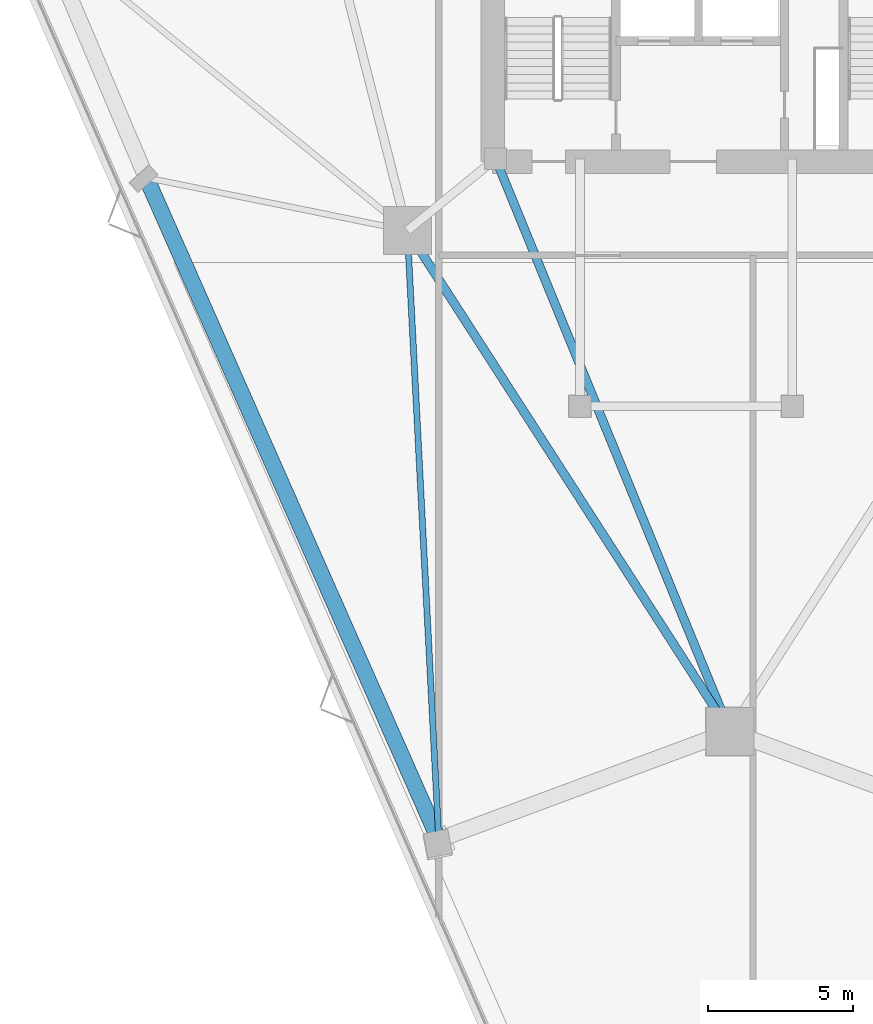
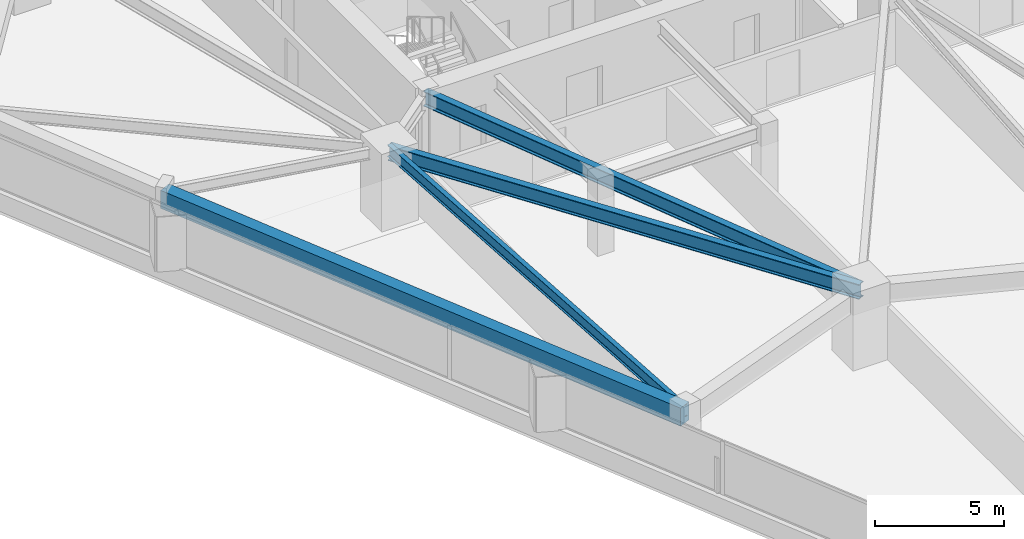
# One storey, part 3 of 18: 4 beams.
"""IFC4 building model written with IfcOpenShell, lengths in metres."""

from ifc_helpers import new_model, si_unit, direction, frame, origin, origin_2d, place, context, subcontext, project, spatial, rectangle, i_section, extrude, material, material_profile, profile_set, type_object, element, save


model = new_model("IFC4")

# Units and contexts
model_context = context("Model", 3, precision=1e-05, world=origin(), true_north=direction((0.0, 1.0)))
body_context = subcontext(model_context, "Body", "Model", "MODEL_VIEW")
ifc_project = project(units=[si_unit("LENGTHUNIT", "METRE"), si_unit("AREAUNIT", "SQUARE_METRE"), si_unit("VOLUMEUNIT", "CUBIC_METRE"), si_unit("PLANEANGLEUNIT", "RADIAN"), si_unit("MASSUNIT", "GRAM", prefix="KILO")], contexts=[model_context])

# Site, building, storey
site_placement = place(None, origin())
site = spatial("IfcSite", under=ifc_project, at=site_placement, CompositionType="ELEMENT")
building_placement = place(site_placement, origin())
building = spatial("IfcBuilding", under=site, at=building_placement, Name="Talyreon Biosciences Tower", CompositionType="ELEMENT")
storey_placement = place(building_placement, frame((0.0, 0.0, 89.60009765625)))
storey = spatial("IfcBuildingStorey", under=building, at=storey_placement, Name="L23", CompositionType="ELEMENT", Elevation=89.60009765625)

# Beams
ifc_material_1 = material(Name="Precast concrete C45/55", Category="concrete")
ifc_material_profile_1 = material_profile(ifc_material_1, rectangle(XDim=0.550048828125, YDim=0.85009765625, at=origin_2d()), Name="RCB 550x850")
ifc_profile_set_1 = profile_set([ifc_material_profile_1], Name="Precast concrete C45/55")
beam_type_1 = type_object("IfcBeamType", Name="ExpressedSpandrel_550x850", PredefinedType="SPANDREL", material=ifc_profile_set_1)
beam_1_placement = place(storey_placement, frame((45.94140625, 60.69921875, 2.949951171875), z_axis=(0.404227056504, -0.914658672287, 0.0), x_axis=(0.914658672287, 0.404227056504, 0.0)))
element("IfcBeam", 1, at=beam_1_placement, inside=storey, type_object=beam_type_1, Name="L23 Expressed Horizontal Concrete Spandrel 11", PredefinedType="SPANDREL", context=body_context, shape_type="SweptSolid", body=[
    extrude(rectangle(XDim=0.550048828125, YDim=0.85009765625, at=origin_2d()), origin(), (0.0, 0.0, 1.0), 24.875),
])
ifc_material_2 = material(Name="Steel SM355", Category="steel")
ifc_material_profile_2 = material_profile(ifc_material_2, i_section(OverallWidth=0.300048828125, OverallDepth=0.699951171875, WebThickness=0.01708984375, FlangeThickness=0.031982421875, FilletRadius=0.027099609375, at=origin_2d()), Name="HE700B")
ifc_profile_set_2 = profile_set([ifc_material_profile_2], Name="Steel SM355")
beam_type_2 = type_object("IfcBeamType", Name="SteelGirder_HE700B", PredefinedType="BEAM", material=ifc_profile_set_2)
beam_2_placement = place(storey_placement, frame((54.913818359375, 58.88037109375, 3.02490234375), z_axis=(0.541463723609, -0.840724114092, 0.0), x_axis=(0.840724114092, 0.541463723609, 0.0)))
element("IfcBeam", 2, at=beam_2_placement, inside=storey, type_object=beam_type_2, Name="L23 Mega-Ring Girder 6", PredefinedType="BEAM", context=body_context, shape_type="SweptSolid", body=[
    extrude(i_section(OverallWidth=0.300048828125, OverallDepth=0.699951171875, WebThickness=0.01708984375, FlangeThickness=0.031982421875, FilletRadius=0.027099609375, at=origin_2d()), origin(), (0.0, 0.0, 1.0), 20.474365234375),
])
beam_3_placement = place(storey_placement, frame((57.949951171875, 61.35009765625, 3.02490234375), z_axis=(0.378547014545, -0.925582064314, 0.0), x_axis=(0.925582064314, 0.378547014545, 0.0)))
element("IfcBeam", 3, at=beam_3_placement, inside=storey, type_object=beam_type_2, Name="L23 Radial Primary Girder 1", PredefinedType="BEAM", context=body_context, shape_type="SweptSolid", body=[
    extrude(i_section(OverallWidth=0.300048828125, OverallDepth=0.699951171875, WebThickness=0.01708984375, FlangeThickness=0.031982421875, FilletRadius=0.027099609375, at=origin_2d()), origin(), (0.0, 0.0, 1.0), 21.265625),
])
ifc_material_profile_3 = material_profile(ifc_material_2, i_section(OverallWidth=0.2099609375, OverallDepth=0.550048828125, WebThickness=0.010986328125, FlangeThickness=0.01708984375, FilletRadius=0.02392578125, at=origin_2d()), Name="IPE550")
ifc_profile_set_3 = profile_set([ifc_material_profile_3], Name="Steel SM355")
beam_type_3 = type_object("IfcBeamType", Name="SteelJoist_IPE550", PredefinedType="JOIST", material=ifc_profile_set_3)
beam_4_placement = place(storey_placement, frame((54.913818359375, 58.88037109375, 3.099853515625), z_axis=(0.051655285706, -0.998664974583, 0.0), x_axis=(0.998664974583, 0.051655285706, 0.0)))
element("IfcBeam", 4, at=beam_4_placement, inside=storey, type_object=beam_type_3, Name="L23 Radial Composite Floor Joist PC-SW2", PredefinedType="JOIST", context=body_context, shape_type="SweptSolid", body=[
    extrude(i_section(OverallWidth=0.2099609375, OverallDepth=0.550048828125, WebThickness=0.010986328125, FlangeThickness=0.01708984375, FilletRadius=0.02392578125, at=origin_2d()), origin(), (0.0, 0.0, 1.0), 20.96142578125),
])

save(model, "model.ifc")
